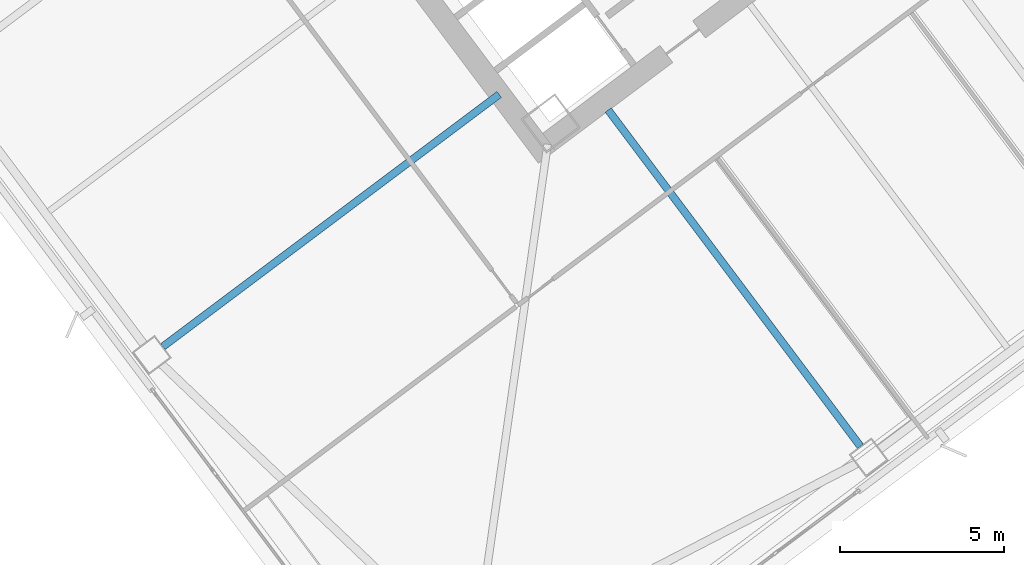
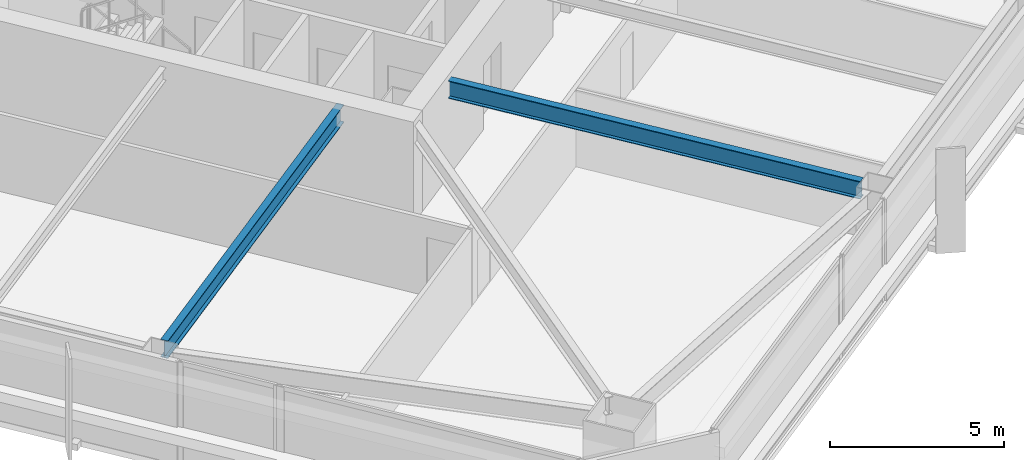
# One storey, part 27 of 62: 2 beams.
"""IFC4 building model written with IfcOpenShell, lengths in metres."""

from ifc_helpers import new_model, si_unit, direction, frame, origin, origin_2d, place, context, subcontext, project, spatial, i_section, extrude, material, material_profile, profile_set, type_object, element, save


model = new_model("IFC4")

# Units and contexts
model_context = context("Model", 3, precision=1e-05, world=origin(), true_north=direction((0.0, 1.0)))
body_context = subcontext(model_context, "Body", "Model", "MODEL_VIEW")
ifc_project = project(units=[si_unit("LENGTHUNIT", "METRE"), si_unit("AREAUNIT", "SQUARE_METRE"), si_unit("VOLUMEUNIT", "CUBIC_METRE"), si_unit("PLANEANGLEUNIT", "RADIAN"), si_unit("MASSUNIT", "GRAM", prefix="KILO")], contexts=[model_context])

# Site, building, storey
site_placement = place(None, origin())
site = spatial("IfcSite", under=ifc_project, at=site_placement, CompositionType="ELEMENT")
building_placement = place(site_placement, origin())
building = spatial("IfcBuilding", under=site, at=building_placement, Name="Tashvorn Skyway Center", CompositionType="ELEMENT")
storey_placement = place(building_placement, frame((0.0, 0.0, 28.14990234375)))
storey = spatial("IfcBuildingStorey", under=building, at=storey_placement, Name="L06", CompositionType="ELEMENT", Elevation=28.14990234375)

# Beams
ifc_material = material(Name="Steel ASTM A992 Grade 50", Category="steel")
ifc_material_profile = material_profile(ifc_material, i_section(OverallWidth=0.22998046875, OverallDepth=0.616943359375, WebThickness=0.01318359375, FlangeThickness=0.022216796875, at=origin_2d()), Name="W24X94")
ifc_profile_set = profile_set([ifc_material_profile], Name="Steel ASTM A992 Grade 50")
beam_type = type_object("IfcBeamType", Name="BM-BEAM-W24X94", PredefinedType="BEAM", material=ifc_profile_set)
beam_1_placement = place(storey_placement, frame((122.05810546875, 12.256103515625, 3.04150390625), z_axis=(-0.600018239213, 0.799986320265, 0.0), x_axis=(-0.799986320265, -0.600018239213, 0.0)))
element("IfcBeam", 1, at=beam_1_placement, inside=storey, type_object=beam_type, Name="Tower 2 L06 Primary Floor Girder FC-S1", PredefinedType="BEAM", context=body_context, shape_type="SweptSolid", body=[
    extrude(i_section(OverallWidth=0.22998046875, OverallDepth=0.616943359375, WebThickness=0.01318359375, FlangeThickness=0.022216796875, at=origin_2d()), origin(), (0.0, 0.0, 1.0), 12.849853515625),
])
beam_2_placement = place(storey_placement, frame((100.736083984375, 15.302001953125, 3.04150390625), z_axis=(0.800002279907, 0.599996960112, 0.0), x_axis=(-0.599996960112, 0.800002279907, 0.0)))
element("IfcBeam", 2, at=beam_2_placement, inside=storey, type_object=beam_type, Name="Tower 2 L06 Primary Floor Girder FC-W2", PredefinedType="BEAM", context=body_context, shape_type="SweptSolid", body=[
    extrude(i_section(OverallWidth=0.22998046875, OverallDepth=0.616943359375, WebThickness=0.01318359375, FlangeThickness=0.022216796875, at=origin_2d()), origin(), (0.0, 0.0, 1.0), 12.85009765625),
])

save(model, "model.ifc")
